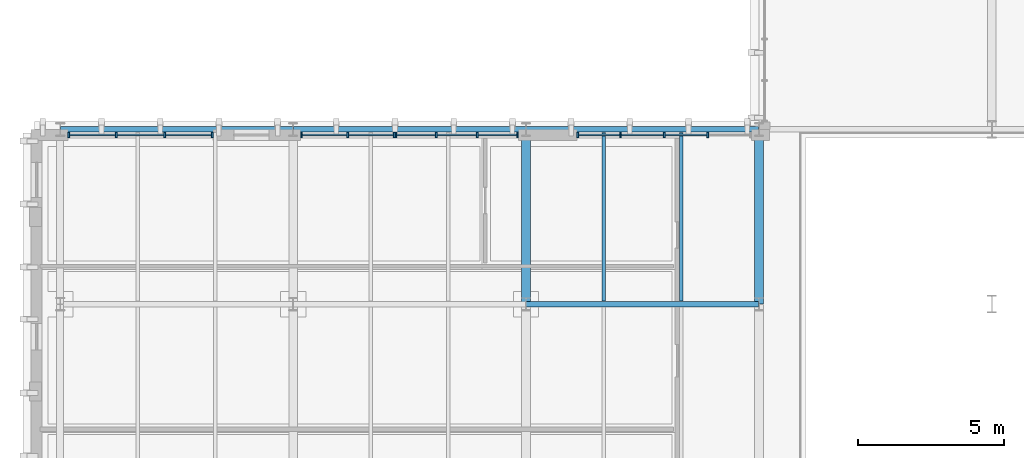
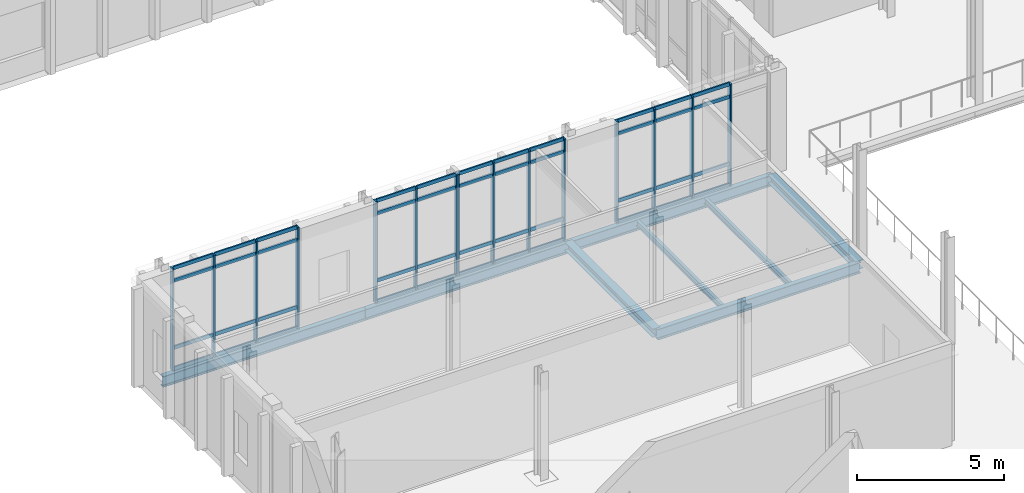
# One storey, part 13 of 100: 59 members, 8 beams, 4 elements without a shape of their own.
"""IFC4 building model written with IfcOpenShell, lengths in metres."""

from ifc_helpers import new_model, si_unit, direction, frame, origin, origin_2d, place, context, subcontext, project, spatial, rectangle, i_section, extrude, material, material_profile, profile_set, type_object, element, aggregate, save


model = new_model("IFC4")

# Units and contexts
model_context = context("Model", 3, precision=1e-05, world=origin(), true_north=direction((0.0, 1.0)))
body_context = subcontext(model_context, "Body", "Model", "MODEL_VIEW")
ifc_project = project(units=[si_unit("LENGTHUNIT", "METRE"), si_unit("AREAUNIT", "SQUARE_METRE"), si_unit("VOLUMEUNIT", "CUBIC_METRE"), si_unit("PLANEANGLEUNIT", "RADIAN"), si_unit("MASSUNIT", "GRAM", prefix="KILO")], contexts=[model_context])

# Site, building, storey
site_placement = place(None, origin())
site = spatial("IfcSite", under=ifc_project, at=site_placement, CompositionType="ELEMENT")
building_placement = place(site_placement, origin())
building = spatial("IfcBuilding", under=site, at=building_placement, Name="Cymarion Research Institute", CompositionType="ELEMENT")
storey_placement = place(building_placement, frame((0.0, 0.0, 4.800048828125)))
storey = spatial("IfcBuildingStorey", under=building, at=storey_placement, Name="L01", CompositionType="ELEMENT", Elevation=4.800048828125)

# Curtain wall, members
ifc_material_1 = material(Name="Anodised aluminium unitised curtain wall with Low-E glazing", Category="aluminium")
curtain_wall_type_1 = type_object("IfcCurtainWallType", Name="UNITISED CURTAIN WALL CW16 5990X4250", PredefinedType="NOTDEFINED", material=ifc_material_1)
curtain_wall_1_placement = place(storey_placement, origin())
curtain_wall_1 = element("IfcCurtainWall", 1, at=curtain_wall_1_placement, inside=storey, type_object=curtain_wall_type_1, Name="L01 V3 unitised curtain wall CW16 #35", PredefinedType="NOTDEFINED")
ifc_material_2 = material(Name="Anodised aluminium framing", Category="aluminium")
ifc_material_profile_1 = material_profile(ifc_material_2, rectangle(XDim=0.06005859375, YDim=0.179931640625, at=origin_2d()), Name="ALU MULLION 60x180")
ifc_profile_set_1 = profile_set([ifc_material_profile_1], Name="Anodised aluminium framing")
member_type_1 = type_object("IfcMemberType", Name="CURTAIN WALL MULLION ML01 60X180", PredefinedType="MULLION", material=ifc_profile_set_1)
member_1_placement = place(storey_placement, frame((28.842529296875, 29.31005859375, 0.0), z_axis=(0.0, 0.0, 1.0), x_axis=(-1.0, 0.0, 0.0)))
member_1 = element("IfcMember", 2, at=member_1_placement, type_object=member_type_1, Name="CW16 mullion 2", PredefinedType="MULLION", context=body_context, shape_type="SweptSolid", body=[
    extrude(rectangle(XDim=0.06005859375, YDim=0.179931640625, at=origin_2d()), origin(), (0.0, 0.0, 1.0), 4.25),
])
member_2_placement = place(storey_placement, frame((27.344970703125, 29.31005859375, 0.0), z_axis=(0.0, 0.0, 1.0), x_axis=(-1.0, 0.0, 0.0)))
member_2 = element("IfcMember", 3, at=member_2_placement, type_object=member_type_1, Name="CW16 mullion 3", PredefinedType="MULLION", context=body_context, shape_type="SweptSolid", body=[
    extrude(rectangle(XDim=0.06005859375, YDim=0.179931640625, at=origin_2d()), origin(), (0.0, 0.0, 1.0), 4.25),
])
member_3_placement = place(storey_placement, frame((25.847412109375, 29.31005859375, 0.0), z_axis=(0.0, 0.0, 1.0), x_axis=(-1.0, 0.0, 0.0)))
member_3 = element("IfcMember", 4, at=member_3_placement, type_object=member_type_1, Name="CW16 mullion 4", PredefinedType="MULLION", context=body_context, shape_type="SweptSolid", body=[
    extrude(rectangle(XDim=0.06005859375, YDim=0.179931640625, at=origin_2d()), origin(), (0.0, 0.0, 1.0), 4.25),
])
member_4_placement = place(storey_placement, frame((24.3798828125, 29.31005859375, 0.0), z_axis=(0.0, 0.0, 1.0), x_axis=(-1.0, 0.0, 0.0)))
member_4 = element("IfcMember", 5, at=member_4_placement, type_object=member_type_1, Name="CW16 mullion 5", PredefinedType="MULLION", context=body_context, shape_type="SweptSolid", body=[
    extrude(rectangle(XDim=0.06005859375, YDim=0.179931640625, at=origin_2d()), origin(), (0.0, 0.0, 1.0), 4.25),
])

curtain_wall_type_2 = type_object("IfcCurtainWallType", Name="UNITISED CURTAIN WALL CW17 4240X4250", PredefinedType="NOTDEFINED", material=ifc_material_1)
curtain_wall_2_placement = place(storey_placement, origin())
curtain_wall_2 = element("IfcCurtainWall", 6, at=curtain_wall_2_placement, inside=storey, type_object=curtain_wall_type_2, Name="L01 V3 unitised curtain wall CW17 #36", PredefinedType="NOTDEFINED")
member_5_placement = place(storey_placement, frame((22.31005859375, 29.31005859375, 0.0), z_axis=(0.0, 0.0, 1.0), x_axis=(-1.0, 0.0, 0.0)))
member_5 = element("IfcMember", 7, at=member_5_placement, type_object=member_type_1, Name="CW17 mullion 1", PredefinedType="MULLION", context=body_context, shape_type="SweptSolid", body=[
    extrude(rectangle(XDim=0.06005859375, YDim=0.179931640625, at=origin_2d()), origin(), (0.0, 0.0, 1.0), 4.25),
])
member_6_placement = place(storey_placement, frame((20.9267578125, 29.31005859375, 0.0), z_axis=(0.0, 0.0, 1.0), x_axis=(-1.0, 0.0, 0.0)))
member_6 = element("IfcMember", 8, at=member_6_placement, type_object=member_type_1, Name="CW17 mullion 2", PredefinedType="MULLION", context=body_context, shape_type="SweptSolid", body=[
    extrude(rectangle(XDim=0.06005859375, YDim=0.179931640625, at=origin_2d()), origin(), (0.0, 0.0, 1.0), 4.25),
])
member_7_placement = place(storey_placement, frame((19.513427734375, 29.31005859375, 0.0), z_axis=(0.0, 0.0, 1.0), x_axis=(-1.0, 0.0, 0.0)))
member_7 = element("IfcMember", 9, at=member_7_placement, type_object=member_type_1, Name="CW17 mullion 3", PredefinedType="MULLION", context=body_context, shape_type="SweptSolid", body=[
    extrude(rectangle(XDim=0.06005859375, YDim=0.179931640625, at=origin_2d()), origin(), (0.0, 0.0, 1.0), 4.25),
])
member_8_placement = place(storey_placement, frame((18.1298828125, 29.31005859375, 0.0), z_axis=(0.0, 0.0, 1.0), x_axis=(-1.0, 0.0, 0.0)))
member_8 = element("IfcMember", 10, at=member_8_placement, type_object=member_type_1, Name="CW17 mullion 4", PredefinedType="MULLION", context=body_context, shape_type="SweptSolid", body=[
    extrude(rectangle(XDim=0.06005859375, YDim=0.179931640625, at=origin_2d()), origin(), (0.0, 0.0, 1.0), 4.25),
])

curtain_wall_type_3 = type_object("IfcCurtainWallType", Name="UNITISED CURTAIN WALL CW18 3240X4250", PredefinedType="NOTDEFINED", material=ifc_material_1)
curtain_wall_3_placement = place(storey_placement, origin())
curtain_wall_3 = element("IfcCurtainWall", 11, at=curtain_wall_3_placement, inside=storey, type_object=curtain_wall_type_3, Name="L01 V3 unitised curtain wall CW18 #37", PredefinedType="NOTDEFINED")
member_9_placement = place(storey_placement, frame((18.070068359375, 29.31005859375, 0.0), z_axis=(0.0, 0.0, 1.0), x_axis=(-1.0, 0.0, 0.0)))
member_9 = element("IfcMember", 12, at=member_9_placement, type_object=member_type_1, Name="CW18 mullion 1", PredefinedType="MULLION", context=body_context, shape_type="SweptSolid", body=[
    extrude(rectangle(XDim=0.06005859375, YDim=0.179931640625, at=origin_2d()), origin(), (0.0, 0.0, 1.0), 4.25),
])
member_10_placement = place(storey_placement, frame((16.47998046875, 29.31005859375, 0.0), z_axis=(0.0, 0.0, 1.0), x_axis=(-1.0, 0.0, 0.0)))
member_10 = element("IfcMember", 13, at=member_10_placement, type_object=member_type_1, Name="CW18 mullion 2", PredefinedType="MULLION", context=body_context, shape_type="SweptSolid", body=[
    extrude(rectangle(XDim=0.06005859375, YDim=0.179931640625, at=origin_2d()), origin(), (0.0, 0.0, 1.0), 4.25),
])
member_11_placement = place(storey_placement, frame((14.889892578125, 29.31005859375, 0.0), z_axis=(0.0, 0.0, 1.0), x_axis=(-1.0, 0.0, 0.0)))
member_11 = element("IfcMember", 14, at=member_11_placement, type_object=member_type_1, Name="CW18 mullion 3", PredefinedType="MULLION", context=body_context, shape_type="SweptSolid", body=[
    extrude(rectangle(XDim=0.06005859375, YDim=0.179931640625, at=origin_2d()), origin(), (0.0, 0.0, 1.0), 4.25),
])

curtain_wall_type_4 = type_object("IfcCurtainWallType", Name="UNITISED CURTAIN WALL CW19 4990X4250", PredefinedType="NOTDEFINED", material=ifc_material_1)
curtain_wall_4_placement = place(storey_placement, origin())
curtain_wall_4 = element("IfcCurtainWall", 15, at=curtain_wall_4_placement, inside=storey, type_object=curtain_wall_type_4, Name="L01 V3 unitised curtain wall CW19 #38", PredefinedType="NOTDEFINED")
member_12_placement = place(storey_placement, frame((11.820068359375, 29.31005859375, 0.0), z_axis=(0.0, 0.0, 1.0), x_axis=(-1.0, 0.0, 0.0)))
member_12 = element("IfcMember", 16, at=member_12_placement, type_object=member_type_1, Name="CW19 mullion 1", PredefinedType="MULLION", context=body_context, shape_type="SweptSolid", body=[
    extrude(rectangle(XDim=0.06005859375, YDim=0.179931640625, at=origin_2d()), origin(), (0.0, 0.0, 1.0), 4.25),
])
member_13_placement = place(storey_placement, frame((10.186767578125, 29.31005859375, 0.0), z_axis=(0.0, 0.0, 1.0), x_axis=(-1.0, 0.0, 0.0)))
member_13 = element("IfcMember", 17, at=member_13_placement, type_object=member_type_1, Name="CW19 mullion 2", PredefinedType="MULLION", context=body_context, shape_type="SweptSolid", body=[
    extrude(rectangle(XDim=0.06005859375, YDim=0.179931640625, at=origin_2d()), origin(), (0.0, 0.0, 1.0), 4.25),
])
member_14_placement = place(storey_placement, frame((8.5234375, 29.31005859375, 0.0), z_axis=(0.0, 0.0, 1.0), x_axis=(-1.0, 0.0, 0.0)))
member_14 = element("IfcMember", 18, at=member_14_placement, type_object=member_type_1, Name="CW19 mullion 3", PredefinedType="MULLION", context=body_context, shape_type="SweptSolid", body=[
    extrude(rectangle(XDim=0.06005859375, YDim=0.179931640625, at=origin_2d()), origin(), (0.0, 0.0, 1.0), 4.25),
])
member_15_placement = place(storey_placement, frame((6.889892578125, 29.31005859375, 0.0), z_axis=(0.0, 0.0, 1.0), x_axis=(-1.0, 0.0, 0.0)))
member_15 = element("IfcMember", 19, at=member_15_placement, type_object=member_type_1, Name="CW19 mullion 4", PredefinedType="MULLION", context=body_context, shape_type="SweptSolid", body=[
    extrude(rectangle(XDim=0.06005859375, YDim=0.179931640625, at=origin_2d()), origin(), (0.0, 0.0, 1.0), 4.25),
])

# Member
ifc_material_profile_2 = material_profile(ifc_material_2, rectangle(XDim=0.06005859375, YDim=0.14990234375, at=origin_2d()), Name="ALU TRANSOM 60x150")
ifc_profile_set_2 = profile_set([ifc_material_profile_2], Name="Anodised aluminium framing")
member_type_2 = type_object("IfcMemberType", Name="CURTAIN WALL TRANSOM TR01 60X150", PredefinedType="USERDEFINED", material=ifc_profile_set_2)
member_16_placement = place(storey_placement, frame((28.8125, 29.31005859375, 0.030029296875), z_axis=(-1.0, 0.0, 0.0), x_axis=(0.0, -1.0, 0.0)))
member_16 = element("IfcMember", 20, at=member_16_placement, type_object=member_type_2, Name="CW16 transom 2.1", ObjectType="TRANSOM", PredefinedType="USERDEFINED", context=body_context, shape_type="SweptSolid", body=[
    extrude(rectangle(XDim=0.06005859375, YDim=0.14990234375, at=origin_2d()), origin(), (0.0, 0.0, 1.0), 1.4375),
])

member_17_placement = place(storey_placement, frame((28.8125, 29.31005859375, 0.89990234375), z_axis=(-1.0, 0.0, 0.0), x_axis=(0.0, -1.0, 0.0)))
member_17 = element("IfcMember", 21, at=member_17_placement, type_object=member_type_2, Name="CW16 transom 2.2", ObjectType="TRANSOM", PredefinedType="USERDEFINED", context=body_context, shape_type="SweptSolid", body=[
    extrude(rectangle(XDim=0.06005859375, YDim=0.14990234375, at=origin_2d()), origin(), (0.0, 0.0, 1.0), 1.4375),
])

member_18_placement = place(storey_placement, frame((28.8125, 29.31005859375, 3.699951171875), z_axis=(-1.0, 0.0, 0.0), x_axis=(0.0, -1.0, 0.0)))
member_18 = element("IfcMember", 22, at=member_18_placement, type_object=member_type_2, Name="CW16 transom 2.3", ObjectType="TRANSOM", PredefinedType="USERDEFINED", context=body_context, shape_type="SweptSolid", body=[
    extrude(rectangle(XDim=0.06005859375, YDim=0.14990234375, at=origin_2d()), origin(), (0.0, 0.0, 1.0), 1.4375),
])

member_19_placement = place(storey_placement, frame((28.8125, 29.31005859375, 4.219970703125), z_axis=(-1.0, 0.0, 0.0), x_axis=(0.0, -1.0, 0.0)))
member_19 = element("IfcMember", 23, at=member_19_placement, type_object=member_type_2, Name="CW16 transom 2.4", ObjectType="TRANSOM", PredefinedType="USERDEFINED", context=body_context, shape_type="SweptSolid", body=[
    extrude(rectangle(XDim=0.06005859375, YDim=0.14990234375, at=origin_2d()), origin(), (0.0, 0.0, 1.0), 1.4375),
])

member_20_placement = place(storey_placement, frame((27.31494140625, 29.31005859375, 0.030029296875), z_axis=(-1.0, 0.0, 0.0), x_axis=(0.0, -1.0, 0.0)))
member_20 = element("IfcMember", 24, at=member_20_placement, type_object=member_type_2, Name="CW16 transom 3.1", ObjectType="TRANSOM", PredefinedType="USERDEFINED", context=body_context, shape_type="SweptSolid", body=[
    extrude(rectangle(XDim=0.06005859375, YDim=0.14990234375, at=origin_2d()), origin(), (0.0, 0.0, 1.0), 1.4375),
])

member_21_placement = place(storey_placement, frame((27.31494140625, 29.31005859375, 0.89990234375), z_axis=(-1.0, 0.0, 0.0), x_axis=(0.0, -1.0, 0.0)))
member_21 = element("IfcMember", 25, at=member_21_placement, type_object=member_type_2, Name="CW16 transom 3.2", ObjectType="TRANSOM", PredefinedType="USERDEFINED", context=body_context, shape_type="SweptSolid", body=[
    extrude(rectangle(XDim=0.06005859375, YDim=0.14990234375, at=origin_2d()), origin(), (0.0, 0.0, 1.0), 1.4375),
])

member_22_placement = place(storey_placement, frame((27.31494140625, 29.31005859375, 3.699951171875), z_axis=(-1.0, 0.0, 0.0), x_axis=(0.0, -1.0, 0.0)))
member_22 = element("IfcMember", 26, at=member_22_placement, type_object=member_type_2, Name="CW16 transom 3.3", ObjectType="TRANSOM", PredefinedType="USERDEFINED", context=body_context, shape_type="SweptSolid", body=[
    extrude(rectangle(XDim=0.06005859375, YDim=0.14990234375, at=origin_2d()), origin(), (0.0, 0.0, 1.0), 1.4375),
])

member_23_placement = place(storey_placement, frame((27.31494140625, 29.31005859375, 4.219970703125), z_axis=(-1.0, 0.0, 0.0), x_axis=(0.0, -1.0, 0.0)))
member_23 = element("IfcMember", 27, at=member_23_placement, type_object=member_type_2, Name="CW16 transom 3.4", ObjectType="TRANSOM", PredefinedType="USERDEFINED", context=body_context, shape_type="SweptSolid", body=[
    extrude(rectangle(XDim=0.06005859375, YDim=0.14990234375, at=origin_2d()), origin(), (0.0, 0.0, 1.0), 1.4375),
])

member_24_placement = place(storey_placement, frame((25.8173828125, 29.31005859375, 0.030029296875), z_axis=(-1.0, 0.0, 0.0), x_axis=(0.0, -1.0, 0.0)))
member_24 = element("IfcMember", 28, at=member_24_placement, type_object=member_type_2, Name="CW16 transom 4.1", ObjectType="TRANSOM", PredefinedType="USERDEFINED", context=body_context, shape_type="SweptSolid", body=[
    extrude(rectangle(XDim=0.06005859375, YDim=0.14990234375, at=origin_2d()), origin(), (0.0, 0.0, 1.0), 1.407470703125),
])

member_25_placement = place(storey_placement, frame((25.8173828125, 29.31005859375, 0.89990234375), z_axis=(-1.0, 0.0, 0.0), x_axis=(0.0, -1.0, 0.0)))
member_25 = element("IfcMember", 29, at=member_25_placement, type_object=member_type_2, Name="CW16 transom 4.2", ObjectType="TRANSOM", PredefinedType="USERDEFINED", context=body_context, shape_type="SweptSolid", body=[
    extrude(rectangle(XDim=0.06005859375, YDim=0.14990234375, at=origin_2d()), origin(), (0.0, 0.0, 1.0), 1.407470703125),
])

member_26_placement = place(storey_placement, frame((25.8173828125, 29.31005859375, 3.699951171875), z_axis=(-1.0, 0.0, 0.0), x_axis=(0.0, -1.0, 0.0)))
member_26 = element("IfcMember", 30, at=member_26_placement, type_object=member_type_2, Name="CW16 transom 4.3", ObjectType="TRANSOM", PredefinedType="USERDEFINED", context=body_context, shape_type="SweptSolid", body=[
    extrude(rectangle(XDim=0.06005859375, YDim=0.14990234375, at=origin_2d()), origin(), (0.0, 0.0, 1.0), 1.407470703125),
])

member_27_placement = place(storey_placement, frame((25.8173828125, 29.31005859375, 4.219970703125), z_axis=(-1.0, 0.0, 0.0), x_axis=(0.0, -1.0, 0.0)))
member_27 = element("IfcMember", 31, at=member_27_placement, type_object=member_type_2, Name="CW16 transom 4.4", ObjectType="TRANSOM", PredefinedType="USERDEFINED", context=body_context, shape_type="SweptSolid", body=[
    extrude(rectangle(XDim=0.06005859375, YDim=0.14990234375, at=origin_2d()), origin(), (0.0, 0.0, 1.0), 1.407470703125),
])

aggregate(curtain_wall_1, [member_1, member_2, member_3, member_4, member_16, member_17, member_18, member_19, member_20, member_21, member_22, member_23, member_24, member_25, member_26, member_27])

member_28_placement = place(storey_placement, frame((22.280029296875, 29.31005859375, 0.030029296875), z_axis=(-1.0, 0.0, 0.0), x_axis=(0.0, -1.0, 0.0)))
member_28 = element("IfcMember", 32, at=member_28_placement, type_object=member_type_2, Name="CW17 transom 1.1", ObjectType="TRANSOM", PredefinedType="USERDEFINED", context=body_context, shape_type="SweptSolid", body=[
    extrude(rectangle(XDim=0.06005859375, YDim=0.14990234375, at=origin_2d()), origin(), (0.0, 0.0, 1.0), 1.3232421875),
])

member_29_placement = place(storey_placement, frame((22.280029296875, 29.31005859375, 0.89990234375), z_axis=(-1.0, 0.0, 0.0), x_axis=(0.0, -1.0, 0.0)))
member_29 = element("IfcMember", 33, at=member_29_placement, type_object=member_type_2, Name="CW17 transom 1.2", ObjectType="TRANSOM", PredefinedType="USERDEFINED", context=body_context, shape_type="SweptSolid", body=[
    extrude(rectangle(XDim=0.06005859375, YDim=0.14990234375, at=origin_2d()), origin(), (0.0, 0.0, 1.0), 1.3232421875),
])

member_30_placement = place(storey_placement, frame((22.280029296875, 29.31005859375, 3.699951171875), z_axis=(-1.0, 0.0, 0.0), x_axis=(0.0, -1.0, 0.0)))
member_30 = element("IfcMember", 34, at=member_30_placement, type_object=member_type_2, Name="CW17 transom 1.3", ObjectType="TRANSOM", PredefinedType="USERDEFINED", context=body_context, shape_type="SweptSolid", body=[
    extrude(rectangle(XDim=0.06005859375, YDim=0.14990234375, at=origin_2d()), origin(), (0.0, 0.0, 1.0), 1.3232421875),
])

member_31_placement = place(storey_placement, frame((22.280029296875, 29.31005859375, 4.219970703125), z_axis=(-1.0, 0.0, 0.0), x_axis=(0.0, -1.0, 0.0)))
member_31 = element("IfcMember", 35, at=member_31_placement, type_object=member_type_2, Name="CW17 transom 1.4", ObjectType="TRANSOM", PredefinedType="USERDEFINED", context=body_context, shape_type="SweptSolid", body=[
    extrude(rectangle(XDim=0.06005859375, YDim=0.14990234375, at=origin_2d()), origin(), (0.0, 0.0, 1.0), 1.3232421875),
])

member_32_placement = place(storey_placement, frame((20.896728515625, 29.31005859375, 0.030029296875), z_axis=(-1.0, 0.0, 0.0), x_axis=(0.0, -1.0, 0.0)))
member_32 = element("IfcMember", 36, at=member_32_placement, type_object=member_type_2, Name="CW17 transom 2.1", ObjectType="TRANSOM", PredefinedType="USERDEFINED", context=body_context, shape_type="SweptSolid", body=[
    extrude(rectangle(XDim=0.06005859375, YDim=0.14990234375, at=origin_2d()), origin(), (0.0, 0.0, 1.0), 1.353515625),
])

member_33_placement = place(storey_placement, frame((20.896728515625, 29.31005859375, 0.89990234375), z_axis=(-1.0, 0.0, 0.0), x_axis=(0.0, -1.0, 0.0)))
member_33 = element("IfcMember", 37, at=member_33_placement, type_object=member_type_2, Name="CW17 transom 2.2", ObjectType="TRANSOM", PredefinedType="USERDEFINED", context=body_context, shape_type="SweptSolid", body=[
    extrude(rectangle(XDim=0.06005859375, YDim=0.14990234375, at=origin_2d()), origin(), (0.0, 0.0, 1.0), 1.353515625),
])

member_34_placement = place(storey_placement, frame((20.896728515625, 29.31005859375, 3.699951171875), z_axis=(-1.0, 0.0, 0.0), x_axis=(0.0, -1.0, 0.0)))
member_34 = element("IfcMember", 38, at=member_34_placement, type_object=member_type_2, Name="CW17 transom 2.3", ObjectType="TRANSOM", PredefinedType="USERDEFINED", context=body_context, shape_type="SweptSolid", body=[
    extrude(rectangle(XDim=0.06005859375, YDim=0.14990234375, at=origin_2d()), origin(), (0.0, 0.0, 1.0), 1.353515625),
])

member_35_placement = place(storey_placement, frame((20.896728515625, 29.31005859375, 4.219970703125), z_axis=(-1.0, 0.0, 0.0), x_axis=(0.0, -1.0, 0.0)))
member_35 = element("IfcMember", 39, at=member_35_placement, type_object=member_type_2, Name="CW17 transom 2.4", ObjectType="TRANSOM", PredefinedType="USERDEFINED", context=body_context, shape_type="SweptSolid", body=[
    extrude(rectangle(XDim=0.06005859375, YDim=0.14990234375, at=origin_2d()), origin(), (0.0, 0.0, 1.0), 1.353515625),
])

member_36_placement = place(storey_placement, frame((19.4833984375, 29.31005859375, 0.030029296875), z_axis=(-1.0, 0.0, 0.0), x_axis=(0.0, -1.0, 0.0)))
member_36 = element("IfcMember", 40, at=member_36_placement, type_object=member_type_2, Name="CW17 transom 3.1", ObjectType="TRANSOM", PredefinedType="USERDEFINED", context=body_context, shape_type="SweptSolid", body=[
    extrude(rectangle(XDim=0.06005859375, YDim=0.14990234375, at=origin_2d()), origin(), (0.0, 0.0, 1.0), 1.323486328125),
])

member_37_placement = place(storey_placement, frame((19.4833984375, 29.31005859375, 0.89990234375), z_axis=(-1.0, 0.0, 0.0), x_axis=(0.0, -1.0, 0.0)))
member_37 = element("IfcMember", 41, at=member_37_placement, type_object=member_type_2, Name="CW17 transom 3.2", ObjectType="TRANSOM", PredefinedType="USERDEFINED", context=body_context, shape_type="SweptSolid", body=[
    extrude(rectangle(XDim=0.06005859375, YDim=0.14990234375, at=origin_2d()), origin(), (0.0, 0.0, 1.0), 1.323486328125),
])

member_38_placement = place(storey_placement, frame((19.4833984375, 29.31005859375, 3.699951171875), z_axis=(-1.0, 0.0, 0.0), x_axis=(0.0, -1.0, 0.0)))
member_38 = element("IfcMember", 42, at=member_38_placement, type_object=member_type_2, Name="CW17 transom 3.3", ObjectType="TRANSOM", PredefinedType="USERDEFINED", context=body_context, shape_type="SweptSolid", body=[
    extrude(rectangle(XDim=0.06005859375, YDim=0.14990234375, at=origin_2d()), origin(), (0.0, 0.0, 1.0), 1.323486328125),
])

member_39_placement = place(storey_placement, frame((19.4833984375, 29.31005859375, 4.219970703125), z_axis=(-1.0, 0.0, 0.0), x_axis=(0.0, -1.0, 0.0)))
member_39 = element("IfcMember", 43, at=member_39_placement, type_object=member_type_2, Name="CW17 transom 3.4", ObjectType="TRANSOM", PredefinedType="USERDEFINED", context=body_context, shape_type="SweptSolid", body=[
    extrude(rectangle(XDim=0.06005859375, YDim=0.14990234375, at=origin_2d()), origin(), (0.0, 0.0, 1.0), 1.323486328125),
])

aggregate(curtain_wall_2, [member_5, member_6, member_7, member_8, member_28, member_29, member_30, member_31, member_32, member_33, member_34, member_35, member_36, member_37, member_38, member_39])

member_40_placement = place(storey_placement, frame((18.0400390625, 29.31005859375, 0.030029296875), z_axis=(-1.0, 0.0, 0.0), x_axis=(0.0, -1.0, 0.0)))
member_40 = element("IfcMember", 44, at=member_40_placement, type_object=member_type_2, Name="CW18 transom 1.1", ObjectType="TRANSOM", PredefinedType="USERDEFINED", context=body_context, shape_type="SweptSolid", body=[
    extrude(rectangle(XDim=0.06005859375, YDim=0.14990234375, at=origin_2d()), origin(), (0.0, 0.0, 1.0), 1.530029296875),
])

member_41_placement = place(storey_placement, frame((18.0400390625, 29.31005859375, 0.89990234375), z_axis=(-1.0, 0.0, 0.0), x_axis=(0.0, -1.0, 0.0)))
member_41 = element("IfcMember", 45, at=member_41_placement, type_object=member_type_2, Name="CW18 transom 1.2", ObjectType="TRANSOM", PredefinedType="USERDEFINED", context=body_context, shape_type="SweptSolid", body=[
    extrude(rectangle(XDim=0.06005859375, YDim=0.14990234375, at=origin_2d()), origin(), (0.0, 0.0, 1.0), 1.530029296875),
])

member_42_placement = place(storey_placement, frame((18.0400390625, 29.31005859375, 3.699951171875), z_axis=(-1.0, 0.0, 0.0), x_axis=(0.0, -1.0, 0.0)))
member_42 = element("IfcMember", 46, at=member_42_placement, type_object=member_type_2, Name="CW18 transom 1.3", ObjectType="TRANSOM", PredefinedType="USERDEFINED", context=body_context, shape_type="SweptSolid", body=[
    extrude(rectangle(XDim=0.06005859375, YDim=0.14990234375, at=origin_2d()), origin(), (0.0, 0.0, 1.0), 1.530029296875),
])

member_43_placement = place(storey_placement, frame((18.0400390625, 29.31005859375, 4.219970703125), z_axis=(-1.0, 0.0, 0.0), x_axis=(0.0, -1.0, 0.0)))
member_43 = element("IfcMember", 47, at=member_43_placement, type_object=member_type_2, Name="CW18 transom 1.4", ObjectType="TRANSOM", PredefinedType="USERDEFINED", context=body_context, shape_type="SweptSolid", body=[
    extrude(rectangle(XDim=0.06005859375, YDim=0.14990234375, at=origin_2d()), origin(), (0.0, 0.0, 1.0), 1.530029296875),
])

member_44_placement = place(storey_placement, frame((16.449951171875, 29.31005859375, 0.030029296875), z_axis=(-1.0, 0.0, 0.0), x_axis=(0.0, -1.0, 0.0)))
member_44 = element("IfcMember", 48, at=member_44_placement, type_object=member_type_2, Name="CW18 transom 2.1", ObjectType="TRANSOM", PredefinedType="USERDEFINED", context=body_context, shape_type="SweptSolid", body=[
    extrude(rectangle(XDim=0.06005859375, YDim=0.14990234375, at=origin_2d()), origin(), (0.0, 0.0, 1.0), 1.530029296875),
])

member_45_placement = place(storey_placement, frame((16.449951171875, 29.31005859375, 0.89990234375), z_axis=(-1.0, 0.0, 0.0), x_axis=(0.0, -1.0, 0.0)))
member_45 = element("IfcMember", 49, at=member_45_placement, type_object=member_type_2, Name="CW18 transom 2.2", ObjectType="TRANSOM", PredefinedType="USERDEFINED", context=body_context, shape_type="SweptSolid", body=[
    extrude(rectangle(XDim=0.06005859375, YDim=0.14990234375, at=origin_2d()), origin(), (0.0, 0.0, 1.0), 1.530029296875),
])

member_46_placement = place(storey_placement, frame((16.449951171875, 29.31005859375, 3.699951171875), z_axis=(-1.0, 0.0, 0.0), x_axis=(0.0, -1.0, 0.0)))
member_46 = element("IfcMember", 50, at=member_46_placement, type_object=member_type_2, Name="CW18 transom 2.3", ObjectType="TRANSOM", PredefinedType="USERDEFINED", context=body_context, shape_type="SweptSolid", body=[
    extrude(rectangle(XDim=0.06005859375, YDim=0.14990234375, at=origin_2d()), origin(), (0.0, 0.0, 1.0), 1.530029296875),
])

member_47_placement = place(storey_placement, frame((16.449951171875, 29.31005859375, 4.219970703125), z_axis=(-1.0, 0.0, 0.0), x_axis=(0.0, -1.0, 0.0)))
member_47 = element("IfcMember", 51, at=member_47_placement, type_object=member_type_2, Name="CW18 transom 2.4", ObjectType="TRANSOM", PredefinedType="USERDEFINED", context=body_context, shape_type="SweptSolid", body=[
    extrude(rectangle(XDim=0.06005859375, YDim=0.14990234375, at=origin_2d()), origin(), (0.0, 0.0, 1.0), 1.530029296875),
])

aggregate(curtain_wall_3, [member_9, member_10, member_11, member_40, member_41, member_42, member_43, member_44, member_45, member_46, member_47])

member_48_placement = place(storey_placement, frame((11.7900390625, 29.31005859375, 0.030029296875), z_axis=(-1.0, 0.0, 0.0), x_axis=(0.0, -1.0, 0.0)))
member_48 = element("IfcMember", 52, at=member_48_placement, type_object=member_type_2, Name="CW19 transom 1.1", ObjectType="TRANSOM", PredefinedType="USERDEFINED", context=body_context, shape_type="SweptSolid", body=[
    extrude(rectangle(XDim=0.06005859375, YDim=0.14990234375, at=origin_2d()), origin(), (0.0, 0.0, 1.0), 1.573486328125),
])

member_49_placement = place(storey_placement, frame((11.7900390625, 29.31005859375, 0.89990234375), z_axis=(-1.0, 0.0, 0.0), x_axis=(0.0, -1.0, 0.0)))
member_49 = element("IfcMember", 53, at=member_49_placement, type_object=member_type_2, Name="CW19 transom 1.2", ObjectType="TRANSOM", PredefinedType="USERDEFINED", context=body_context, shape_type="SweptSolid", body=[
    extrude(rectangle(XDim=0.06005859375, YDim=0.14990234375, at=origin_2d()), origin(), (0.0, 0.0, 1.0), 1.573486328125),
])

member_50_placement = place(storey_placement, frame((11.7900390625, 29.31005859375, 3.699951171875), z_axis=(-1.0, 0.0, 0.0), x_axis=(0.0, -1.0, 0.0)))
member_50 = element("IfcMember", 54, at=member_50_placement, type_object=member_type_2, Name="CW19 transom 1.3", ObjectType="TRANSOM", PredefinedType="USERDEFINED", context=body_context, shape_type="SweptSolid", body=[
    extrude(rectangle(XDim=0.06005859375, YDim=0.14990234375, at=origin_2d()), origin(), (0.0, 0.0, 1.0), 1.573486328125),
])

member_51_placement = place(storey_placement, frame((11.7900390625, 29.31005859375, 4.219970703125), z_axis=(-1.0, 0.0, 0.0), x_axis=(0.0, -1.0, 0.0)))
member_51 = element("IfcMember", 55, at=member_51_placement, type_object=member_type_2, Name="CW19 transom 1.4", ObjectType="TRANSOM", PredefinedType="USERDEFINED", context=body_context, shape_type="SweptSolid", body=[
    extrude(rectangle(XDim=0.06005859375, YDim=0.14990234375, at=origin_2d()), origin(), (0.0, 0.0, 1.0), 1.573486328125),
])

member_52_placement = place(storey_placement, frame((10.15673828125, 29.31005859375, 0.030029296875), z_axis=(-1.0, 0.0, 0.0), x_axis=(0.0, -1.0, 0.0)))
member_52 = element("IfcMember", 56, at=member_52_placement, type_object=member_type_2, Name="CW19 transom 2.1", ObjectType="TRANSOM", PredefinedType="USERDEFINED", context=body_context, shape_type="SweptSolid", body=[
    extrude(rectangle(XDim=0.06005859375, YDim=0.14990234375, at=origin_2d()), origin(), (0.0, 0.0, 1.0), 1.603515625),
])

member_53_placement = place(storey_placement, frame((10.15673828125, 29.31005859375, 0.89990234375), z_axis=(-1.0, 0.0, 0.0), x_axis=(0.0, -1.0, 0.0)))
member_53 = element("IfcMember", 57, at=member_53_placement, type_object=member_type_2, Name="CW19 transom 2.2", ObjectType="TRANSOM", PredefinedType="USERDEFINED", context=body_context, shape_type="SweptSolid", body=[
    extrude(rectangle(XDim=0.06005859375, YDim=0.14990234375, at=origin_2d()), origin(), (0.0, 0.0, 1.0), 1.603515625),
])

member_54_placement = place(storey_placement, frame((10.15673828125, 29.31005859375, 3.699951171875), z_axis=(-1.0, 0.0, 0.0), x_axis=(0.0, -1.0, 0.0)))
member_54 = element("IfcMember", 58, at=member_54_placement, type_object=member_type_2, Name="CW19 transom 2.3", ObjectType="TRANSOM", PredefinedType="USERDEFINED", context=body_context, shape_type="SweptSolid", body=[
    extrude(rectangle(XDim=0.06005859375, YDim=0.14990234375, at=origin_2d()), origin(), (0.0, 0.0, 1.0), 1.603515625),
])

member_55_placement = place(storey_placement, frame((10.15673828125, 29.31005859375, 4.219970703125), z_axis=(-1.0, 0.0, 0.0), x_axis=(0.0, -1.0, 0.0)))
member_55 = element("IfcMember", 59, at=member_55_placement, type_object=member_type_2, Name="CW19 transom 2.4", ObjectType="TRANSOM", PredefinedType="USERDEFINED", context=body_context, shape_type="SweptSolid", body=[
    extrude(rectangle(XDim=0.06005859375, YDim=0.14990234375, at=origin_2d()), origin(), (0.0, 0.0, 1.0), 1.603515625),
])

member_56_placement = place(storey_placement, frame((8.493408203125, 29.31005859375, 0.030029296875), z_axis=(-1.0, 0.0, 0.0), x_axis=(0.0, -1.0, 0.0)))
member_56 = element("IfcMember", 60, at=member_56_placement, type_object=member_type_2, Name="CW19 transom 3.1", ObjectType="TRANSOM", PredefinedType="USERDEFINED", context=body_context, shape_type="SweptSolid", body=[
    extrude(rectangle(XDim=0.06005859375, YDim=0.14990234375, at=origin_2d()), origin(), (0.0, 0.0, 1.0), 1.573486328125),
])

member_57_placement = place(storey_placement, frame((8.493408203125, 29.31005859375, 0.89990234375), z_axis=(-1.0, 0.0, 0.0), x_axis=(0.0, -1.0, 0.0)))
member_57 = element("IfcMember", 61, at=member_57_placement, type_object=member_type_2, Name="CW19 transom 3.2", ObjectType="TRANSOM", PredefinedType="USERDEFINED", context=body_context, shape_type="SweptSolid", body=[
    extrude(rectangle(XDim=0.06005859375, YDim=0.14990234375, at=origin_2d()), origin(), (0.0, 0.0, 1.0), 1.573486328125),
])

member_58_placement = place(storey_placement, frame((8.493408203125, 29.31005859375, 3.699951171875), z_axis=(-1.0, 0.0, 0.0), x_axis=(0.0, -1.0, 0.0)))
member_58 = element("IfcMember", 62, at=member_58_placement, type_object=member_type_2, Name="CW19 transom 3.3", ObjectType="TRANSOM", PredefinedType="USERDEFINED", context=body_context, shape_type="SweptSolid", body=[
    extrude(rectangle(XDim=0.06005859375, YDim=0.14990234375, at=origin_2d()), origin(), (0.0, 0.0, 1.0), 1.573486328125),
])

member_59_placement = place(storey_placement, frame((8.493408203125, 29.31005859375, 4.219970703125), z_axis=(-1.0, 0.0, 0.0), x_axis=(0.0, -1.0, 0.0)))
member_59 = element("IfcMember", 63, at=member_59_placement, type_object=member_type_2, Name="CW19 transom 3.4", ObjectType="TRANSOM", PredefinedType="USERDEFINED", context=body_context, shape_type="SweptSolid", body=[
    extrude(rectangle(XDim=0.06005859375, YDim=0.14990234375, at=origin_2d()), origin(), (0.0, 0.0, 1.0), 1.573486328125),
])

aggregate(curtain_wall_4, [member_12, member_13, member_14, member_15, member_48, member_49, member_50, member_51, member_52, member_53, member_54, member_55, member_56, member_57, member_58, member_59])

# Beams
ifc_material_3 = material(Name="Steel S355", Category="steel")
ifc_material_profile_3 = material_profile(ifc_material_3, i_section(OverallWidth=0.18994140625, OverallDepth=0.449951171875, WebThickness=0.009521484375, FlangeThickness=0.0146484375, FilletRadius=0.02099609375, at=origin_2d()), Name="IPE 450")
ifc_profile_set_3 = profile_set([ifc_material_profile_3], Name="Steel S355")
beam_type_1 = type_object("IfcBeamType", Name="PRIMARY GIRDER BM04 IPE 450", PredefinedType="BEAM", material=ifc_profile_set_3)
for number, where, z_axis, x_axis, name in (
    (64, (22.60595703125, 23.5, -0.47509765625), (1.0, 0.0, 0.0), (0.0, 1.0, 0.0), "L01 V3 girder BM04 #550"),
    (65, (6.60595703125, 29.5, -0.47509765625), (1.0, 0.0, 0.0), (0.0, 1.0, 0.0), "L01 V3 girder BM04 #551"),
    (66, (14.60595703125, 29.5, -0.47509765625), (1.0, 0.0, 0.0), (0.0, 1.0, 0.0), "L01 V3 girder BM04 #552"),
    (67, (22.60595703125, 29.5, -0.47509765625), (1.0, 0.0, 0.0), (0.0, 1.0, 0.0), "L01 V3 girder BM04 #553"),
):
    element("IfcBeam", number, at=place(storey_placement, frame(where, z_axis=z_axis, x_axis=x_axis)), inside=storey, type_object=beam_type_1, Name=name, PredefinedType="BEAM", context=body_context, shape_type="SweptSolid", body=[
        extrude(i_section(OverallWidth=0.18994140625, OverallDepth=0.449951171875, WebThickness=0.009521484375, FlangeThickness=0.0146484375, FilletRadius=0.02099609375, at=origin_2d()), origin(), (0.0, 0.0, 1.0), 7.988037109375),
    ])
ifc_material_profile_4 = material_profile(ifc_material_3, i_section(OverallWidth=0.300048828125, OverallDepth=0.35009765625, WebThickness=0.010009765625, FlangeThickness=0.017578125, FilletRadius=0.027099609375, at=origin_2d()), Name="HEA 360")
ifc_profile_set_4 = profile_set([ifc_material_profile_4], Name="Steel S355")
beam_type_2 = type_object("IfcBeamType", Name="PRIMARY GIRDER BM12 HEA 360", PredefinedType="BEAM", material=ifc_profile_set_4)
for number, where, z_axis, x_axis, name in (
    (68, (22.60009765625, 23.506103515625, -0.425048828125), (0.0, 1.0, 0.0), (-1.0, 0.0, 0.0), "L01 V3 girder BM12 #573"),
    (69, (30.60009765625, 23.506103515625, -0.425048828125), (0.0, 1.0, 0.0), (-1.0, 0.0, 0.0), "L01 V3 girder BM12 #577"),
):
    element("IfcBeam", number, at=place(storey_placement, frame(where, z_axis=z_axis, x_axis=x_axis)), inside=storey, type_object=beam_type_2, Name=name, PredefinedType="BEAM", context=body_context, shape_type="SweptSolid", body=[
        extrude(i_section(OverallWidth=0.300048828125, OverallDepth=0.35009765625, WebThickness=0.010009765625, FlangeThickness=0.017578125, FilletRadius=0.027099609375, at=origin_2d()), origin(), (0.0, 0.0, 1.0), 5.98779296875),
    ])
ifc_material_profile_5 = material_profile(ifc_material_3, i_section(OverallWidth=0.1201171875, OverallDepth=0.239990234375, WebThickness=0.006103515625, FlangeThickness=0.009765625, FilletRadius=0.014892578125, at=origin_2d()), Name="IPE 240")
ifc_profile_set_5 = profile_set([ifc_material_profile_5], Name="Steel S355")
beam_type_3 = type_object("IfcBeamType", Name="SECONDARY JOIST JS04 IPE 240", PredefinedType="JOIST", material=ifc_profile_set_5)
for number, where, z_axis, x_axis, name in (
    (70, (25.2666015625, 23.59912109375, -0.3701171875), (0.0, 1.0, 0.0), (-1.0, 0.0, 0.0), "L01 V3 secondary joist JS04 #615"),
    (71, (27.933349609375, 23.59912109375, -0.3701171875), (0.0, 1.0, 0.0), (-1.0, 0.0, 0.0), "L01 V3 secondary joist JS04 #616"),
):
    element("IfcBeam", number, at=place(storey_placement, frame(where, z_axis=z_axis, x_axis=x_axis)), inside=storey, type_object=beam_type_3, Name=name, PredefinedType="JOIST", context=body_context, shape_type="SweptSolid", body=[
        extrude(i_section(OverallWidth=0.1201171875, OverallDepth=0.239990234375, WebThickness=0.006103515625, FlangeThickness=0.009765625, FilletRadius=0.014892578125, at=origin_2d()), origin(), (0.0, 0.0, 1.0), 5.8017578125),
    ])

save(model, "model.ifc")
